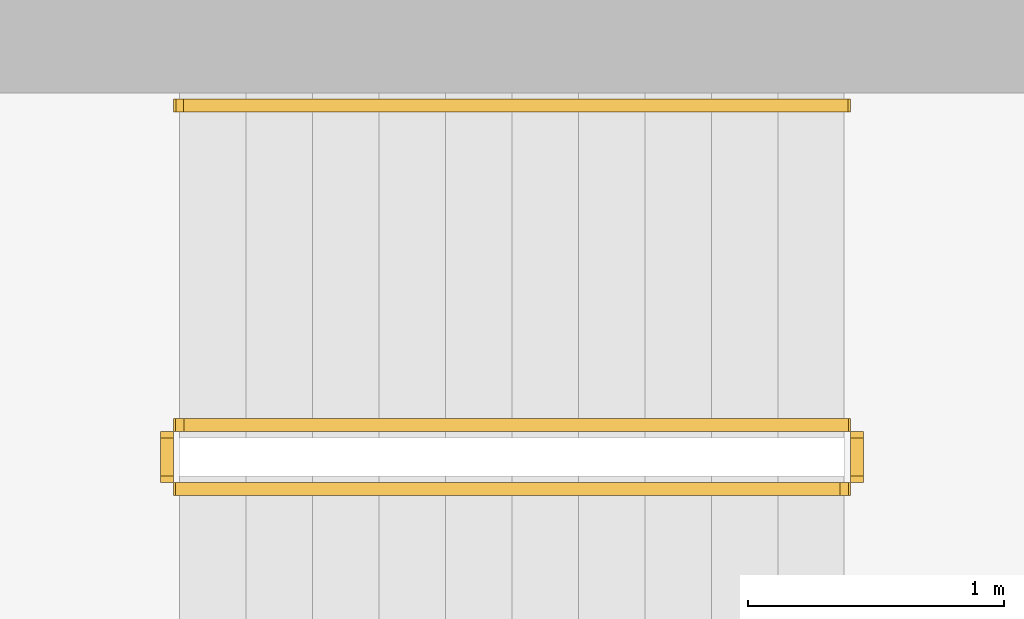
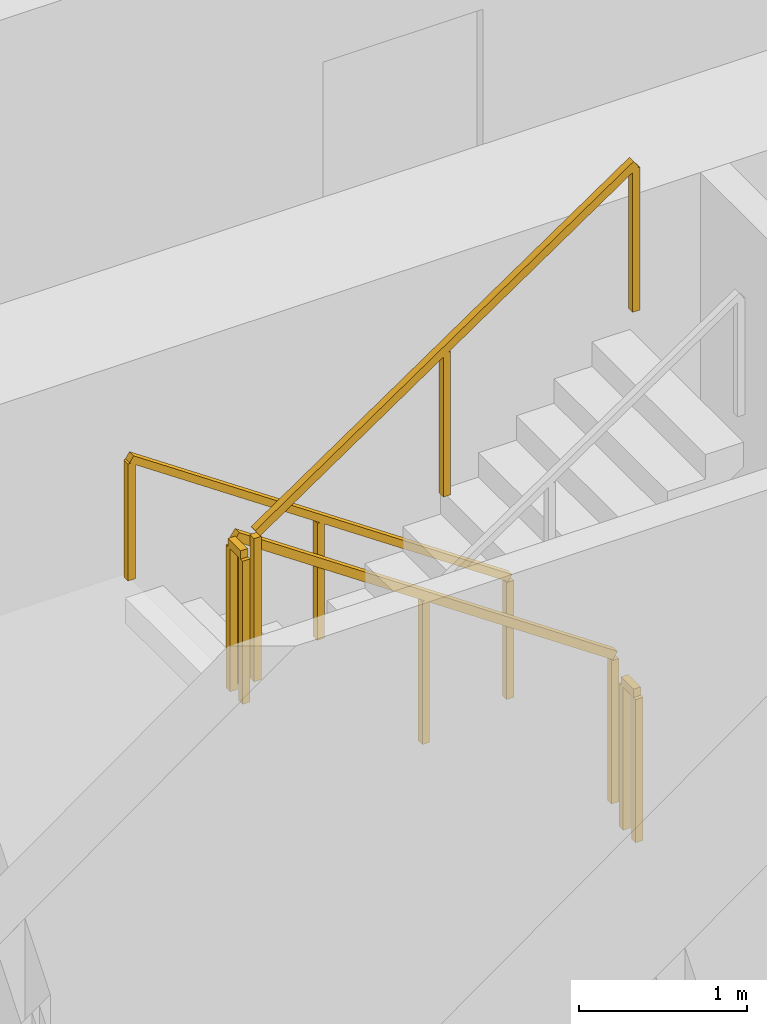
# One storey, part 14 of 15: 5 railings.
"""IFC4 building model written with IfcOpenShell, lengths in metres."""

from ifc_helpers import new_model, si_unit, direction, frame, origin, origin_2d, place, context, subcontext, project, spatial, rectangle, extrude, material, type_object, element, save


model = new_model("IFC4")

# Units and contexts
model_context = context("Model", 3, precision=1e-05, world=origin(), true_north=direction((0.0, 1.0)))
body_context = subcontext(model_context, "Body", "Model", "MODEL_VIEW")
ifc_project = project(units=[si_unit("LENGTHUNIT", "METRE"), si_unit("AREAUNIT", "SQUARE_METRE"), si_unit("VOLUMEUNIT", "CUBIC_METRE"), si_unit("PLANEANGLEUNIT", "RADIAN"), si_unit("MASSUNIT", "GRAM", prefix="KILO")], contexts=[model_context])

# Site, building, storey
site_placement = place(None, origin())
site = spatial("IfcSite", under=ifc_project, at=site_placement, CompositionType="ELEMENT")
building_placement = place(site_placement, origin())
building = spatial("IfcBuilding", under=site, at=building_placement, Name="Khepri Terraces", CompositionType="ELEMENT")
storey_placement = place(building_placement, frame((0.0, 0.0, 50.39990234375)))
storey = spatial("IfcBuildingStorey", under=building, at=storey_placement, Name="L11", CompositionType="ELEMENT", Elevation=50.39990234375)

# Railings
ifc_material = material(Name="Stainless steel 316", Category="steel")
railing_type_1 = type_object("IfcRailingType", Name="RL-CORE-GUARD", PredefinedType="GUARDRAIL", material=ifc_material)
railing_1_placement = place(storey_placement, frame((-0.25, 8.800048828125, 0.177490234375)))
element("IfcRailing", 1, at=railing_1_placement, inside=storey, type_object=railing_type_1, Name="L11 ST-3 stair guard 1", PredefinedType="GUARDRAIL", context=body_context, shape_type="SweptSolid", body=[
    extrude(rectangle(XDim=0.050048828125, YDim=0.06005859375, at=origin_2d()), frame((0.0, 0.0, 1.070068359375), z_axis=(-0.826240473404, 0.0, 0.563317565952), x_axis=(0.0, -1.0, 0.0)), (0.0, 0.0, 1.0), 3.14697265625),
    extrude(rectangle(XDim=0.050048828125, YDim=0.050048828125, at=origin_2d()), origin(), (0.0, 0.0, 1.0), 1.0400390625),
    extrude(rectangle(XDim=0.050048828125, YDim=0.050048828125, at=origin_2d()), frame((-1.300048828125, 0.0, 0.88623046875)), (0.0, 0.0, 1.0), 1.0400390625),
    extrude(rectangle(XDim=0.050048828125, YDim=0.050048828125, at=origin_2d()), frame((-2.60009765625, 0.0, 1.772705078125)), (0.0, 0.0, 1.0), 1.0400390625),
])
railing_2_placement = place(storey_placement, frame((-2.89990234375, 8.75, 1.9501953125)))
element("IfcRailing", 2, at=railing_2_placement, inside=storey, type_object=railing_type_1, Name="L11 ST-3 stair guard 2", PredefinedType="GUARDRAIL", context=body_context, shape_type="SweptSolid", body=[
    extrude(rectangle(XDim=0.050048828125, YDim=0.06005859375, at=origin_2d()), frame((0.0, 0.0, 1.070068359375), z_axis=(0.0, -1.0, 0.0), x_axis=(1.0, 0.0, 0.0)), (0.0, 0.0, 1.0), 0.14990234375),
    extrude(rectangle(XDim=0.050048828125, YDim=0.050048828125, at=origin_2d()), origin(), (0.0, 0.0, 1.0), 1.0400390625),
    extrude(rectangle(XDim=0.050048828125, YDim=0.050048828125, at=origin_2d()), frame((0.0, -0.14990234375, 0.0)), (0.0, 0.0, 1.0), 1.0400390625),
])
railing_3_placement = place(storey_placement, frame((-2.85009765625, 8.550048828125, 2.12744140625)))
element("IfcRailing", 3, at=railing_3_placement, inside=storey, type_object=railing_type_1, Name="L11 ST-3 stair guard 3", PredefinedType="GUARDRAIL", context=body_context, shape_type="SweptSolid", body=[
    extrude(rectangle(XDim=0.050048828125, YDim=0.06005859375, at=origin_2d()), frame((0.0, 0.0, 1.070068359375), z_axis=(0.826240473404, 0.0, 0.563317565952), x_axis=(0.0, 1.0, 0.0)), (0.0, 0.0, 1.0), 3.14697265625),
    extrude(rectangle(XDim=0.050048828125, YDim=0.050048828125, at=origin_2d()), origin(), (0.0, 0.0, 1.0), 1.0400390625),
    extrude(rectangle(XDim=0.050048828125, YDim=0.050048828125, at=origin_2d()), frame((1.300048828125, 0.0, 0.88623046875)), (0.0, 0.0, 1.0), 1.0400390625),
    extrude(rectangle(XDim=0.050048828125, YDim=0.050048828125, at=origin_2d()), frame((2.60009765625, 0.0, 1.772705078125)), (0.0, 0.0, 1.0), 1.0400390625),
])
railing_4_placement = place(storey_placement, frame((-0.199951171875, 8.75, 0.0)))
element("IfcRailing", 4, at=railing_4_placement, inside=storey, type_object=railing_type_1, Name="L11 ST-3 stair guard 4", PredefinedType="GUARDRAIL", context=body_context, shape_type="SweptSolid", body=[
    extrude(rectangle(XDim=0.050048828125, YDim=0.06005859375, at=origin_2d()), frame((0.0, 0.0, 1.070068359375), z_axis=(0.0, -1.0, 0.0), x_axis=(1.0, 0.0, 0.0)), (0.0, 0.0, 1.0), 0.14990234375),
    extrude(rectangle(XDim=0.050048828125, YDim=0.050048828125, at=origin_2d()), origin(), (0.0, 0.0, 1.0), 1.0400390625),
    extrude(rectangle(XDim=0.050048828125, YDim=0.050048828125, at=origin_2d()), frame((0.0, -0.14990234375, 0.0)), (0.0, 0.0, 1.0), 1.0400390625),
])
railing_type_2 = type_object("IfcRailingType", Name="RL-CORE-HANDRAIL", PredefinedType="HANDRAIL", material=ifc_material)
railing_5_placement = place(storey_placement, frame((-0.25, 10.050048828125, 0.177490234375)))
element("IfcRailing", 5, at=railing_5_placement, inside=storey, type_object=railing_type_2, Name="L11 ST-3 stair handrail 1", PredefinedType="HANDRAIL", context=body_context, shape_type="SweptSolid", body=[
    extrude(rectangle(XDim=0.050048828125, YDim=0.050048828125, at=origin_2d()), frame((0.0, 0.0, 0.875), z_axis=(-0.826240473404, 0.0, 0.563317565952), x_axis=(0.0, -1.0, 0.0)), (0.0, 0.0, 1.0), 3.14697265625),
    extrude(rectangle(XDim=0.050048828125, YDim=0.050048828125, at=origin_2d()), origin(), (0.0, 0.0, 1.0), 0.849853515625),
    extrude(rectangle(XDim=0.050048828125, YDim=0.050048828125, at=origin_2d()), frame((-1.300048828125, 0.0, 0.88623046875)), (0.0, 0.0, 1.0), 0.849853515625),
    extrude(rectangle(XDim=0.050048828125, YDim=0.050048828125, at=origin_2d()), frame((-2.60009765625, 0.0, 1.772705078125)), (0.0, 0.0, 1.0), 0.849853515625),
])

save(model, "model.ifc")
